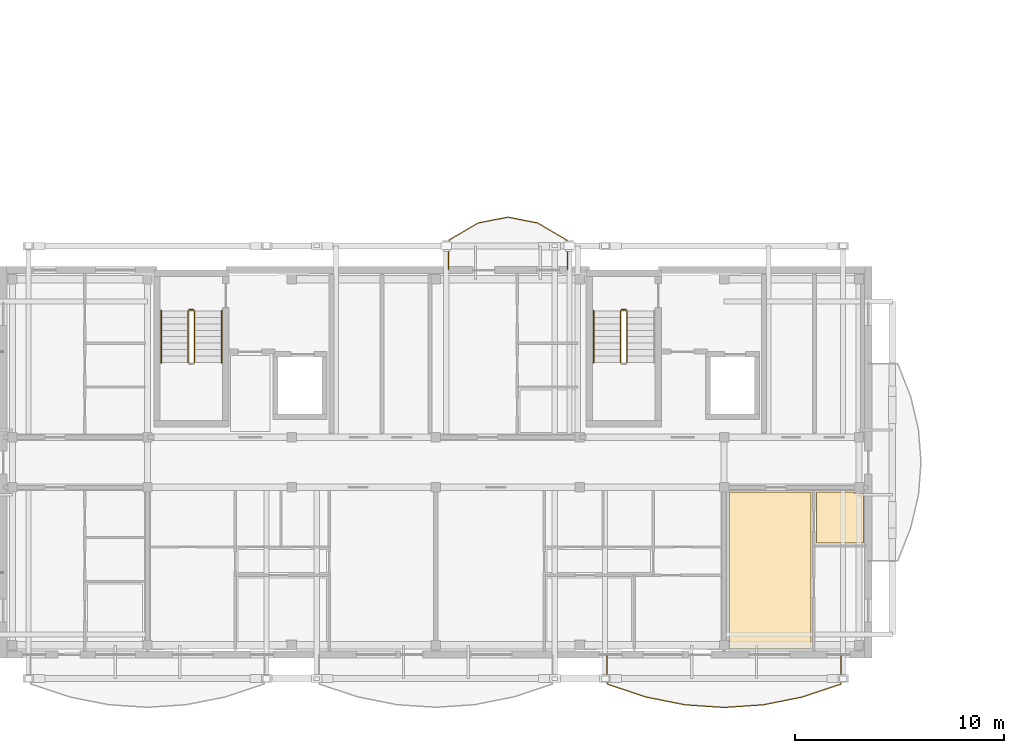
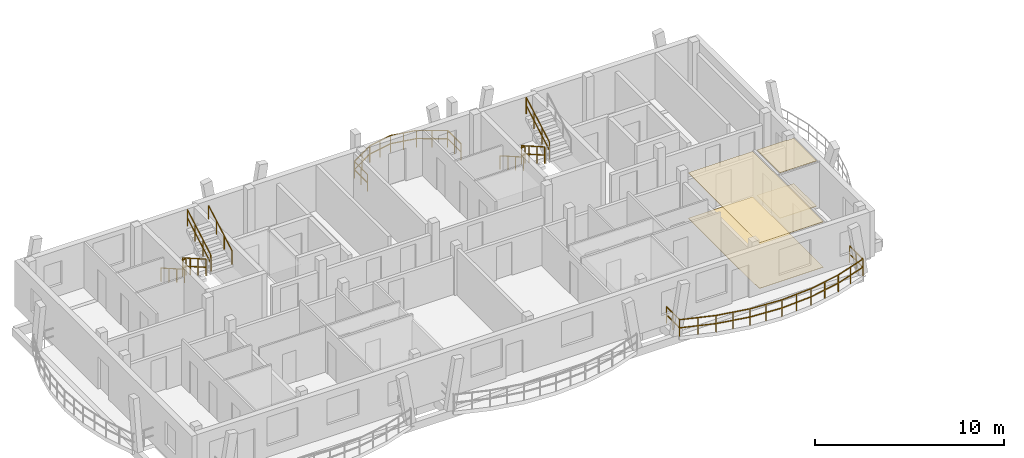
# One storey, part 24 of 29: 11 railings, 4 coverings.
"""IFC4 building model written with IfcOpenShell, lengths in metres."""

from ifc_helpers import new_model, si_unit, direction, frame, origin, origin_2d, place, context, subcontext, project, spatial, polyline, rectangle, outline, extrude, material, layer, layer_set, type_object, element, save


model = new_model("IFC4")

# Units and contexts
model_context = context("Model", 3, precision=1e-05, world=origin(), true_north=direction((0.0, 1.0)))
body_context = subcontext(model_context, "Body", "Model", "MODEL_VIEW")
ifc_project = project(units=[si_unit("LENGTHUNIT", "METRE"), si_unit("AREAUNIT", "SQUARE_METRE"), si_unit("VOLUMEUNIT", "CUBIC_METRE"), si_unit("PLANEANGLEUNIT", "RADIAN"), si_unit("MASSUNIT", "GRAM", prefix="KILO")], contexts=[model_context])

# Site, building, storey
site_placement = place(None, origin())
site = spatial("IfcSite", under=ifc_project, at=site_placement, CompositionType="ELEMENT")
building_placement = place(site_placement, origin())
building = spatial("IfcBuilding", under=site, at=building_placement, Name="Zavelmont Quarter", CompositionType="ELEMENT")
storey_placement = place(building_placement, frame((0.0, 0.0, 33.60009765625)))
storey = spatial("IfcBuildingStorey", under=building, at=storey_placement, Name="L10", CompositionType="ELEMENT", Elevation=33.60009765625)

# Coverings
ifc_material_1 = material(Name="Perforated acoustic gypsum board")
ifc_layer_1 = layer(ifc_material_1, 0.02490234375)
ifc_layer_set_1 = layer_set([ifc_layer_1], Name="Perforated acoustic gypsum board")
covering_type_1 = type_object("IfcCoveringType", Name="CV-CL01", PredefinedType="CEILING", material=ifc_layer_set_1)
covering_1_placement = place(storey_placement, frame((0.0, 0.0, 2.934814453125)))
element("IfcCovering", 1, at=covering_1_placement, inside=storey, type_object=covering_type_1, Name="L10 Residents Study Lounge acoustic ceiling", PredefinedType="CEILING", context=body_context, shape_type="SweptSolid", body=[
    extrude(outline(polyline([(34.72998046875, 7.735107421875), (34.764892578125, 7.735107421875), (34.764892578125, 7.77001953125), (38.669921875, 7.77001953125), (38.669921875, 0.280029296875), (34.764892578125, 0.280029296875), (34.764892578125, 0.705078125), (34.72998046875, 0.705078125), (34.72998046875, 7.735107421875)])), origin(), (0.0, 0.0, 1.0), 0.025146484375),
])
ifc_material_2 = material(Name="Moisture-resistant painted gypsum ceiling")
ifc_layer_2 = layer(ifc_material_2, 0.02001953125)
ifc_layer_set_2 = layer_set([ifc_layer_2], Name="Moisture-resistant painted gypsum ceiling")
covering_type_2 = type_object("IfcCoveringType", Name="CV-CL04", PredefinedType="CEILING", material=ifc_layer_set_2)
covering_2_placement = place(storey_placement, frame((0.0, 0.0, 2.93994140625)))
element("IfcCovering", 2, at=covering_2_placement, inside=storey, type_object=covering_type_2, Name="L10 Accessible Toilet acoustic ceiling", PredefinedType="CEILING", context=body_context, shape_type="SweptSolid", body=[
    extrude(outline(polyline([(38.929931640625, 7.77001953125), (40.695068359375, 7.77001953125), (40.695068359375, 7.735107421875), (41.169921875, 7.735107421875), (41.169921875, 5.330078125), (38.929931640625, 5.330078125), (38.929931640625, 7.77001953125)])), origin(), (0.0, 0.0, 1.0), 0.02001953125),
])
ifc_material_3 = material(Name="Engineered European oak parquet")
ifc_layer_3 = layer(ifc_material_3, 0.02197265625)
ifc_layer_set_3 = layer_set([ifc_layer_3], Name="Engineered European oak parquet")
covering_type_3 = type_object("IfcCoveringType", Name="CV-FL01", PredefinedType="FLOORING", material=ifc_layer_set_3)
covering_3_placement = place(storey_placement, origin())
element("IfcCovering", 3, at=covering_3_placement, inside=storey, type_object=covering_type_3, Name="L10 Residents Study Lounge floor finish", PredefinedType="FLOORING", context=body_context, shape_type="SweptSolid", body=[
    extrude(outline(polyline([(34.72998046875, 7.735107421875), (34.764892578125, 7.735107421875), (34.764892578125, 7.77001953125), (38.669921875, 7.77001953125), (38.669921875, 0.280029296875), (34.764892578125, 0.280029296875), (34.764892578125, 0.705078125), (34.72998046875, 0.705078125), (34.72998046875, 7.735107421875)])), origin(), (0.0, 0.0, 1.0), 0.02197265625),
])
ifc_material_4 = material(Name="Slip-resistant porcelain tile")
ifc_layer_4 = layer(ifc_material_4, 0.02587890625)
ifc_layer_set_4 = layer_set([ifc_layer_4], Name="Slip-resistant porcelain tile")
covering_type_4 = type_object("IfcCoveringType", Name="CV-FL04", PredefinedType="FLOORING", material=ifc_layer_set_4)
covering_4_placement = place(storey_placement, origin())
element("IfcCovering", 4, at=covering_4_placement, inside=storey, type_object=covering_type_4, Name="L10 Accessible Toilet floor finish", PredefinedType="FLOORING", context=body_context, shape_type="SweptSolid", body=[
    extrude(outline(polyline([(38.929931640625, 7.77001953125), (40.695068359375, 7.77001953125), (40.695068359375, 7.735107421875), (41.169921875, 7.735107421875), (41.169921875, 5.330078125), (38.929931640625, 5.330078125), (38.929931640625, 7.77001953125)])), origin(), (0.0, 0.0, 1.0), 0.02587890625),
])

# Railings
ifc_material_5 = material(Name="Powder-coated steel and tempered double safety glass", Category="steel")
railing_type_1 = type_object("IfcRailingType", Name="RL-BAL1", PredefinedType="BALUSTRADE", material=ifc_material_5)
railing_1_placement = place(storey_placement, frame((28.9052734375, -0.02001953125, 0.0)))
element("IfcRailing", 5, at=railing_1_placement, inside=storey, type_object=railing_type_1, Name="L10 Block A curved balcony guard RL-BAL1", PredefinedType="BALUSTRADE", context=body_context, shape_type="SweptSolid", body=[
    extrude(rectangle(XDim=0.048095703125, YDim=0.048095703125, at=origin_2d()), frame((0.0, 0.0, 1.076171875), z_axis=(0.0, -1.0, 0.0), x_axis=(1.0, 0.0, 0.0)), (0.0, 0.0, 1.0), 1.4013671875),
    extrude(rectangle(XDim=0.048095703125, YDim=0.048095703125, at=origin_2d()), frame((0.0, 0.0, 0.550048828125), z_axis=(0.0, -1.0, 0.0), x_axis=(1.0, 0.0, 0.0)), (0.0, 0.0, 1.0), 1.4013671875),
    extrude(rectangle(XDim=0.048095703125, YDim=0.048095703125, at=origin_2d()), frame((0.0, -1.4013671875, 1.076171875), z_axis=(0.948881855415, -0.315631469382, 0.0), x_axis=(0.315631469382, 0.948881855415, 0.0)), (0.0, 0.0, 1.0), 1.965576171875),
    extrude(rectangle(XDim=0.048095703125, YDim=0.048095703125, at=origin_2d()), frame((0.0, -1.4013671875, 0.550048828125), z_axis=(0.948881855415, -0.315631469382, 0.0), x_axis=(0.315631469382, 0.948881855415, 0.0)), (0.0, 0.0, 1.0), 1.965576171875),
    extrude(rectangle(XDim=0.048095703125, YDim=0.048095703125, at=origin_2d()), frame((1.864990234375, -2.021728515625, 1.076171875), z_axis=(0.980669462772, -0.195671675997, 0.0), x_axis=(0.195671675997, 0.980669462772, 0.0)), (0.0, 0.0, 1.0), 1.901611328125),
    extrude(rectangle(XDim=0.048095703125, YDim=0.048095703125, at=origin_2d()), frame((1.864990234375, -2.021728515625, 0.550048828125), z_axis=(0.980669462772, -0.195671675997, 0.0), x_axis=(0.195671675997, 0.980669462772, 0.0)), (0.0, 0.0, 1.0), 1.901611328125),
    extrude(rectangle(XDim=0.048095703125, YDim=0.048095703125, at=origin_2d()), frame((3.729736328125, -2.393798828125, 1.076171875), z_axis=(0.997787469069, -0.066484333258, 0.0), x_axis=(0.066484333258, 0.997787469069, 0.0)), (0.0, 0.0, 1.0), 1.869140625),
    extrude(rectangle(XDim=0.048095703125, YDim=0.048095703125, at=origin_2d()), frame((3.729736328125, -2.393798828125, 0.550048828125), z_axis=(0.997787469069, -0.066484333258, 0.0), x_axis=(0.066484333258, 0.997787469069, 0.0)), (0.0, 0.0, 1.0), 1.869140625),
    extrude(rectangle(XDim=0.048095703125, YDim=0.048095703125, at=origin_2d()), frame((5.5947265625, -2.51806640625, 1.076171875), z_axis=(0.997787469069, 0.066484333258, 0.0), x_axis=(-0.066484333258, 0.997787469069, 0.0)), (0.0, 0.0, 1.0), 1.869140625),
    extrude(rectangle(XDim=0.048095703125, YDim=0.048095703125, at=origin_2d()), frame((5.5947265625, -2.51806640625, 0.550048828125), z_axis=(0.997787469069, 0.066484333258, 0.0), x_axis=(-0.066484333258, 0.997787469069, 0.0)), (0.0, 0.0, 1.0), 1.869140625),
    extrude(rectangle(XDim=0.048095703125, YDim=0.048095703125, at=origin_2d()), frame((7.459716796875, -2.393798828125, 1.076171875), z_axis=(0.980669462772, 0.195671675997, 0.0), x_axis=(-0.195671675997, 0.980669462772, 0.0)), (0.0, 0.0, 1.0), 1.901611328125),
    extrude(rectangle(XDim=0.048095703125, YDim=0.048095703125, at=origin_2d()), frame((7.459716796875, -2.393798828125, 0.550048828125), z_axis=(0.980669462772, 0.195671675997, 0.0), x_axis=(-0.195671675997, 0.980669462772, 0.0)), (0.0, 0.0, 1.0), 1.901611328125),
    extrude(rectangle(XDim=0.048095703125, YDim=0.048095703125, at=origin_2d()), frame((9.324462890625, -2.021728515625, 1.076171875), z_axis=(0.948881855415, 0.315631469382, 0.0), x_axis=(-0.315631469382, 0.948881855415, 0.0)), (0.0, 0.0, 1.0), 1.965576171875),
    extrude(rectangle(XDim=0.048095703125, YDim=0.048095703125, at=origin_2d()), frame((9.324462890625, -2.021728515625, 0.550048828125), z_axis=(0.948881855415, 0.315631469382, 0.0), x_axis=(-0.315631469382, 0.948881855415, 0.0)), (0.0, 0.0, 1.0), 1.965576171875),
    extrude(rectangle(XDim=0.048095703125, YDim=0.048095703125, at=origin_2d()), frame((11.189453125, -1.4013671875, 1.076171875), z_axis=(0.0, 1.0, 0.0), x_axis=(-1.0, 0.0, 0.0)), (0.0, 0.0, 1.0), 1.4013671875),
    extrude(rectangle(XDim=0.048095703125, YDim=0.048095703125, at=origin_2d()), frame((11.189453125, -1.4013671875, 0.550048828125), z_axis=(0.0, 1.0, 0.0), x_axis=(-1.0, 0.0, 0.0)), (0.0, 0.0, 1.0), 1.4013671875),
    extrude(rectangle(XDim=0.0419921875, YDim=0.0419921875, at=origin_2d()), origin(), (0.0, 0.0, 1.0), 1.052001953125),
    extrude(rectangle(XDim=0.0419921875, YDim=0.0419921875, at=origin_2d()), frame((0.0, -0.70068359375, 0.0)), (0.0, 0.0, 1.0), 1.052001953125),
    extrude(rectangle(XDim=0.0419921875, YDim=0.0419921875, at=origin_2d()), frame((0.0, -1.4013671875, 0.0)), (0.0, 0.0, 1.0), 1.052001953125),
    extrude(rectangle(XDim=0.0419921875, YDim=0.0419921875, at=origin_2d()), frame((0.9326171875, -1.71142578125, 0.0)), (0.0, 0.0, 1.0), 1.052001953125),
    extrude(rectangle(XDim=0.0419921875, YDim=0.0419921875, at=origin_2d()), frame((1.864990234375, -2.021728515625, 0.0)), (0.0, 0.0, 1.0), 1.052001953125),
    extrude(rectangle(XDim=0.0419921875, YDim=0.0419921875, at=origin_2d()), frame((2.79736328125, -2.207763671875, 0.0)), (0.0, 0.0, 1.0), 1.052001953125),
    extrude(rectangle(XDim=0.0419921875, YDim=0.0419921875, at=origin_2d()), frame((3.729736328125, -2.393798828125, 0.0)), (0.0, 0.0, 1.0), 1.052001953125),
    extrude(rectangle(XDim=0.0419921875, YDim=0.0419921875, at=origin_2d()), frame((4.662109375, -2.4560546875, 0.0)), (0.0, 0.0, 1.0), 1.052001953125),
    extrude(rectangle(XDim=0.0419921875, YDim=0.0419921875, at=origin_2d()), frame((5.5947265625, -2.51806640625, 0.0)), (0.0, 0.0, 1.0), 1.052001953125),
    extrude(rectangle(XDim=0.0419921875, YDim=0.0419921875, at=origin_2d()), frame((6.52734375, -2.4560546875, 0.0)), (0.0, 0.0, 1.0), 1.052001953125),
    extrude(rectangle(XDim=0.0419921875, YDim=0.0419921875, at=origin_2d()), frame((7.459716796875, -2.393798828125, 0.0)), (0.0, 0.0, 1.0), 1.052001953125),
    extrude(rectangle(XDim=0.0419921875, YDim=0.0419921875, at=origin_2d()), frame((8.39208984375, -2.207763671875, 0.0)), (0.0, 0.0, 1.0), 1.052001953125),
    extrude(rectangle(XDim=0.0419921875, YDim=0.0419921875, at=origin_2d()), frame((9.324462890625, -2.021728515625, 0.0)), (0.0, 0.0, 1.0), 1.052001953125),
    extrude(rectangle(XDim=0.0419921875, YDim=0.0419921875, at=origin_2d()), frame((10.2568359375, -1.71142578125, 0.0)), (0.0, 0.0, 1.0), 1.052001953125),
    extrude(rectangle(XDim=0.0419921875, YDim=0.0419921875, at=origin_2d()), frame((11.189453125, -1.4013671875, 0.0)), (0.0, 0.0, 1.0), 1.052001953125),
    extrude(rectangle(XDim=0.0419921875, YDim=0.0419921875, at=origin_2d()), frame((11.189453125, -0.70068359375, 0.0)), (0.0, 0.0, 1.0), 1.052001953125),
    extrude(rectangle(XDim=0.0419921875, YDim=0.0419921875, at=origin_2d()), frame((11.189453125, 0.0, 0.0)), (0.0, 0.0, 1.0), 1.052001953125),
])
railing_2_placement = place(storey_placement, frame((27.0, 18.419921875, 0.0)))
element("IfcRailing", 6, at=railing_2_placement, inside=storey, type_object=railing_type_1, Name="L10 Block A curved balcony guard RL-BAL1", PredefinedType="BALUSTRADE", context=body_context, shape_type="SweptSolid", body=[
    extrude(rectangle(XDim=0.048095703125, YDim=0.048095703125, at=origin_2d()), frame((0.0, 0.0, 1.076171875), z_axis=(0.0, 1.0, 0.0), x_axis=(-1.0, 0.0, 0.0)), (0.0, 0.0, 1.0), 1.4013671875),
    extrude(rectangle(XDim=0.048095703125, YDim=0.048095703125, at=origin_2d()), frame((0.0, 0.0, 0.550048828125), z_axis=(0.0, 1.0, 0.0), x_axis=(-1.0, 0.0, 0.0)), (0.0, 0.0, 1.0), 1.4013671875),
    extrude(rectangle(XDim=0.048095703125, YDim=0.048095703125, at=origin_2d()), frame((0.0, 1.4013671875, 1.076171875), z_axis=(-0.862161952844, 0.506632773386, 0.0), x_axis=(-0.506632773386, -0.862161952844, 0.0)), (0.0, 0.0, 1.0), 1.65283203125),
    extrude(rectangle(XDim=0.048095703125, YDim=0.048095703125, at=origin_2d()), frame((0.0, 1.4013671875, 0.550048828125), z_axis=(-0.862161952844, 0.506632773386, 0.0), x_axis=(-0.506632773386, -0.862161952844, 0.0)), (0.0, 0.0, 1.0), 1.65283203125),
    extrude(rectangle(XDim=0.048095703125, YDim=0.048095703125, at=origin_2d()), frame((-1.425048828125, 2.23876953125, 1.076171875), z_axis=(-0.981329929768, 0.192331923874, 0.0), x_axis=(-0.192331923874, -0.981329929768, 0.0)), (0.0, 0.0, 1.0), 1.4521484375),
    extrude(rectangle(XDim=0.048095703125, YDim=0.048095703125, at=origin_2d()), frame((-1.425048828125, 2.23876953125, 0.550048828125), z_axis=(-0.981329929768, 0.192331923874, 0.0), x_axis=(-0.192331923874, -0.981329929768, 0.0)), (0.0, 0.0, 1.0), 1.4521484375),
    extrude(rectangle(XDim=0.048095703125, YDim=0.048095703125, at=origin_2d()), frame((-2.85009765625, 2.51806640625, 1.076171875), z_axis=(-0.981323709121, -0.192363660595, 0.0), x_axis=(0.192363660595, -0.981323709121, 0.0)), (0.0, 0.0, 1.0), 1.451904296875),
    extrude(rectangle(XDim=0.048095703125, YDim=0.048095703125, at=origin_2d()), frame((-2.85009765625, 2.51806640625, 0.550048828125), z_axis=(-0.981323709121, -0.192363660595, 0.0), x_axis=(0.192363660595, -0.981323709121, 0.0)), (0.0, 0.0, 1.0), 1.451904296875),
    extrude(rectangle(XDim=0.048095703125, YDim=0.048095703125, at=origin_2d()), frame((-4.27490234375, 2.23876953125, 1.076171875), z_axis=(-0.862161952844, -0.506632773386, 0.0), x_axis=(0.506632773386, -0.862161952844, 0.0)), (0.0, 0.0, 1.0), 1.65283203125),
    extrude(rectangle(XDim=0.048095703125, YDim=0.048095703125, at=origin_2d()), frame((-4.27490234375, 2.23876953125, 0.550048828125), z_axis=(-0.862161952844, -0.506632773386, 0.0), x_axis=(0.506632773386, -0.862161952844, 0.0)), (0.0, 0.0, 1.0), 1.65283203125),
    extrude(rectangle(XDim=0.048095703125, YDim=0.048095703125, at=origin_2d()), frame((-5.699951171875, 1.4013671875, 1.076171875), z_axis=(0.0, -1.0, 0.0), x_axis=(1.0, 0.0, 0.0)), (0.0, 0.0, 1.0), 1.4013671875),
    extrude(rectangle(XDim=0.048095703125, YDim=0.048095703125, at=origin_2d()), frame((-5.699951171875, 1.4013671875, 0.550048828125), z_axis=(0.0, -1.0, 0.0), x_axis=(1.0, 0.0, 0.0)), (0.0, 0.0, 1.0), 1.4013671875),
    extrude(rectangle(XDim=0.0419921875, YDim=0.0419921875, at=origin_2d()), origin(), (0.0, 0.0, 1.0), 1.052001953125),
    extrude(rectangle(XDim=0.0419921875, YDim=0.0419921875, at=origin_2d()), frame((0.0, 0.70068359375, 0.0)), (0.0, 0.0, 1.0), 1.052001953125),
    extrude(rectangle(XDim=0.0419921875, YDim=0.0419921875, at=origin_2d()), frame((0.0, 1.4013671875, 0.0)), (0.0, 0.0, 1.0), 1.052001953125),
    extrude(rectangle(XDim=0.0419921875, YDim=0.0419921875, at=origin_2d()), frame((-0.71240234375, 1.820068359375, 0.0)), (0.0, 0.0, 1.0), 1.052001953125),
    extrude(rectangle(XDim=0.0419921875, YDim=0.0419921875, at=origin_2d()), frame((-1.425048828125, 2.23876953125, 0.0)), (0.0, 0.0, 1.0), 1.052001953125),
    extrude(rectangle(XDim=0.0419921875, YDim=0.0419921875, at=origin_2d()), frame((-2.1376953125, 2.37841796875, 0.0)), (0.0, 0.0, 1.0), 1.052001953125),
    extrude(rectangle(XDim=0.0419921875, YDim=0.0419921875, at=origin_2d()), frame((-2.85009765625, 2.51806640625, 0.0)), (0.0, 0.0, 1.0), 1.052001953125),
    extrude(rectangle(XDim=0.0419921875, YDim=0.0419921875, at=origin_2d()), frame((-3.5625, 2.37841796875, 0.0)), (0.0, 0.0, 1.0), 1.052001953125),
    extrude(rectangle(XDim=0.0419921875, YDim=0.0419921875, at=origin_2d()), frame((-4.27490234375, 2.23876953125, 0.0)), (0.0, 0.0, 1.0), 1.052001953125),
    extrude(rectangle(XDim=0.0419921875, YDim=0.0419921875, at=origin_2d()), frame((-4.9873046875, 1.820068359375, 0.0)), (0.0, 0.0, 1.0), 1.052001953125),
    extrude(rectangle(XDim=0.0419921875, YDim=0.0419921875, at=origin_2d()), frame((-5.699951171875, 1.4013671875, 0.0)), (0.0, 0.0, 1.0), 1.052001953125),
    extrude(rectangle(XDim=0.0419921875, YDim=0.0419921875, at=origin_2d()), frame((-5.699951171875, 0.70068359375, 0.0)), (0.0, 0.0, 1.0), 1.052001953125),
    extrude(rectangle(XDim=0.0419921875, YDim=0.0419921875, at=origin_2d()), frame((-5.699951171875, 0.0, 0.0)), (0.0, 0.0, 1.0), 1.052001953125),
])
ifc_material_6 = material(Name="Powder-coated steel stair guardrail", Category="steel")
railing_type_2 = type_object("IfcRailingType", Name="RL-GRD1", PredefinedType="GUARDRAIL", material=ifc_material_6)
railing_3_placement = place(storey_placement, frame((8.85009765625, 16.449951171875, 0.177734375)))
element("IfcRailing", 7, at=railing_3_placement, inside=storey, type_object=railing_type_2, Name="L10 ST01 stair guardrail 1", PredefinedType="GUARDRAIL", context=body_context, shape_type="SweptSolid", body=[
    extrude(rectangle(XDim=0.048095703125, YDim=0.048095703125, at=origin_2d()), frame((0.0, 0.0, 1.076171875), z_axis=(0.0, -0.867490628297, 0.497453525283), x_axis=(1.0, 0.0, 0.0)), (0.0, 0.0, 1.0), 2.85888671875),
    extrude(rectangle(XDim=0.048095703125, YDim=0.048095703125, at=origin_2d()), frame((0.0, 0.0, 0.550048828125), z_axis=(0.0, -0.867490628297, 0.497453525283), x_axis=(1.0, 0.0, 0.0)), (0.0, 0.0, 1.0), 2.85888671875),
    extrude(rectangle(XDim=0.0419921875, YDim=0.0419921875, at=origin_2d()), origin(), (0.0, 0.0, 1.0), 1.052001953125),
    extrude(rectangle(XDim=0.0419921875, YDim=0.0419921875, at=origin_2d()), frame((0.0, -0.82666015625, 0.47412109375)), (0.0, 0.0, 1.0), 1.052001953125),
    extrude(rectangle(XDim=0.0419921875, YDim=0.0419921875, at=origin_2d()), frame((0.0, -1.6533203125, 0.947998046875)), (0.0, 0.0, 1.0), 1.052001953125),
    extrude(rectangle(XDim=0.0419921875, YDim=0.0419921875, at=origin_2d()), frame((0.0, -2.47998046875, 1.422119140625)), (0.0, 0.0, 1.0), 1.052001953125),
])
railing_4_placement = place(storey_placement, frame((9.14990234375, 13.969970703125, 1.777587890625)))
element("IfcRailing", 8, at=railing_4_placement, inside=storey, type_object=railing_type_2, Name="L10 ST01 stair guardrail 3", PredefinedType="GUARDRAIL", context=body_context, shape_type="SweptSolid", body=[
    extrude(rectangle(XDim=0.048095703125, YDim=0.048095703125, at=origin_2d()), frame((0.0, 0.0, 1.076171875), z_axis=(0.0, 0.867453774394, 0.497517787913), x_axis=(-1.0, 0.0, 0.0)), (0.0, 0.0, 1.0), 2.85888671875),
    extrude(rectangle(XDim=0.048095703125, YDim=0.048095703125, at=origin_2d()), frame((0.0, 0.0, 0.550048828125), z_axis=(0.0, 0.867453774394, 0.497517787913), x_axis=(-1.0, 0.0, 0.0)), (0.0, 0.0, 1.0), 2.85888671875),
    extrude(rectangle(XDim=0.0419921875, YDim=0.0419921875, at=origin_2d()), origin(), (0.0, 0.0, 1.0), 1.052001953125),
    extrude(rectangle(XDim=0.0419921875, YDim=0.0419921875, at=origin_2d()), frame((0.0, 0.82666015625, 0.47412109375)), (0.0, 0.0, 1.0), 1.052001953125),
    extrude(rectangle(XDim=0.0419921875, YDim=0.0419921875, at=origin_2d()), frame((0.0, 1.6533203125, 0.9482421875)), (0.0, 0.0, 1.0), 1.052001953125),
    extrude(rectangle(XDim=0.0419921875, YDim=0.0419921875, at=origin_2d()), frame((0.0, 2.47998046875, 1.42236328125)), (0.0, 0.0, 1.0), 1.052001953125),
])
railing_5_placement = place(storey_placement, frame((8.89990234375, 16.5, 0.0)))
element("IfcRailing", 9, at=railing_5_placement, inside=storey, type_object=railing_type_2, Name="L10 ST01 stair guardrail 4", PredefinedType="GUARDRAIL", context=body_context, shape_type="SweptSolid", body=[
    extrude(rectangle(XDim=0.048095703125, YDim=0.048095703125, at=origin_2d()), frame((0.0, 0.0, 1.076171875), z_axis=(1.0, 0.0, 0.0), x_axis=(0.0, 1.0, 0.0)), (0.0, 0.0, 1.0), 0.2001953125),
    extrude(rectangle(XDim=0.048095703125, YDim=0.048095703125, at=origin_2d()), frame((0.0, 0.0, 0.550048828125), z_axis=(1.0, 0.0, 0.0), x_axis=(0.0, 1.0, 0.0)), (0.0, 0.0, 1.0), 0.2001953125),
    extrude(rectangle(XDim=0.0419921875, YDim=0.0419921875, at=origin_2d()), origin(), (0.0, 0.0, 1.0), 1.052001953125),
    extrude(rectangle(XDim=0.0419921875, YDim=0.0419921875, at=origin_2d()), frame((0.2001953125, 0.0, 0.0)), (0.0, 0.0, 1.0), 1.052001953125),
])
railing_6_placement = place(storey_placement, frame((29.550048828125, 16.449951171875, 0.177734375)))
element("IfcRailing", 10, at=railing_6_placement, inside=storey, type_object=railing_type_2, Name="L10 ST02 stair guardrail 1", PredefinedType="GUARDRAIL", context=body_context, shape_type="SweptSolid", body=[
    extrude(rectangle(XDim=0.048095703125, YDim=0.048095703125, at=origin_2d()), frame((0.0, 0.0, 1.076171875), z_axis=(0.0, -0.867490628297, 0.497453525283), x_axis=(1.0, 0.0, 0.0)), (0.0, 0.0, 1.0), 2.85888671875),
    extrude(rectangle(XDim=0.048095703125, YDim=0.048095703125, at=origin_2d()), frame((0.0, 0.0, 0.550048828125), z_axis=(0.0, -0.867490628297, 0.497453525283), x_axis=(1.0, 0.0, 0.0)), (0.0, 0.0, 1.0), 2.85888671875),
    extrude(rectangle(XDim=0.0419921875, YDim=0.0419921875, at=origin_2d()), origin(), (0.0, 0.0, 1.0), 1.052001953125),
    extrude(rectangle(XDim=0.0419921875, YDim=0.0419921875, at=origin_2d()), frame((0.0, -0.82666015625, 0.47412109375)), (0.0, 0.0, 1.0), 1.052001953125),
    extrude(rectangle(XDim=0.0419921875, YDim=0.0419921875, at=origin_2d()), frame((0.0, -1.6533203125, 0.947998046875)), (0.0, 0.0, 1.0), 1.052001953125),
    extrude(rectangle(XDim=0.0419921875, YDim=0.0419921875, at=origin_2d()), frame((0.0, -2.47998046875, 1.422119140625)), (0.0, 0.0, 1.0), 1.052001953125),
])
railing_7_placement = place(storey_placement, frame((29.85009765625, 13.969970703125, 1.777587890625)))
element("IfcRailing", 11, at=railing_7_placement, inside=storey, type_object=railing_type_2, Name="L10 ST02 stair guardrail 3", PredefinedType="GUARDRAIL", context=body_context, shape_type="SweptSolid", body=[
    extrude(rectangle(XDim=0.048095703125, YDim=0.048095703125, at=origin_2d()), frame((0.0, 0.0, 1.076171875), z_axis=(0.0, 0.867453774394, 0.497517787913), x_axis=(-1.0, 0.0, 0.0)), (0.0, 0.0, 1.0), 2.85888671875),
    extrude(rectangle(XDim=0.048095703125, YDim=0.048095703125, at=origin_2d()), frame((0.0, 0.0, 0.550048828125), z_axis=(0.0, 0.867453774394, 0.497517787913), x_axis=(-1.0, 0.0, 0.0)), (0.0, 0.0, 1.0), 2.85888671875),
    extrude(rectangle(XDim=0.0419921875, YDim=0.0419921875, at=origin_2d()), origin(), (0.0, 0.0, 1.0), 1.052001953125),
    extrude(rectangle(XDim=0.0419921875, YDim=0.0419921875, at=origin_2d()), frame((0.0, 0.82666015625, 0.47412109375)), (0.0, 0.0, 1.0), 1.052001953125),
    extrude(rectangle(XDim=0.0419921875, YDim=0.0419921875, at=origin_2d()), frame((0.0, 1.6533203125, 0.9482421875)), (0.0, 0.0, 1.0), 1.052001953125),
    extrude(rectangle(XDim=0.0419921875, YDim=0.0419921875, at=origin_2d()), frame((0.0, 2.47998046875, 1.42236328125)), (0.0, 0.0, 1.0), 1.052001953125),
])
railing_8_placement = place(storey_placement, frame((29.60009765625, 16.5, 0.0)))
element("IfcRailing", 12, at=railing_8_placement, inside=storey, type_object=railing_type_2, Name="L10 ST02 stair guardrail 4", PredefinedType="GUARDRAIL", context=body_context, shape_type="SweptSolid", body=[
    extrude(rectangle(XDim=0.048095703125, YDim=0.048095703125, at=origin_2d()), frame((0.0, 0.0, 1.076171875), z_axis=(1.0, 0.0, 0.0), x_axis=(0.0, 1.0, 0.0)), (0.0, 0.0, 1.0), 0.199951171875),
    extrude(rectangle(XDim=0.048095703125, YDim=0.048095703125, at=origin_2d()), frame((0.0, 0.0, 0.550048828125), z_axis=(1.0, 0.0, 0.0), x_axis=(0.0, 1.0, 0.0)), (0.0, 0.0, 1.0), 0.199951171875),
    extrude(rectangle(XDim=0.0419921875, YDim=0.0419921875, at=origin_2d()), origin(), (0.0, 0.0, 1.0), 1.052001953125),
    extrude(rectangle(XDim=0.0419921875, YDim=0.0419921875, at=origin_2d()), frame((0.199951171875, 0.0, 0.0)), (0.0, 0.0, 1.0), 1.052001953125),
])
ifc_material_7 = material(Name="Brushed stainless-steel wall handrail", Category="steel")
railing_type_3 = type_object("IfcRailingType", Name="RL-HND1", PredefinedType="HANDRAIL", material=ifc_material_7)
railing_9_placement = place(storey_placement, frame((7.550048828125, 16.449951171875, 0.177734375)))
element("IfcRailing", 13, at=railing_9_placement, inside=storey, type_object=railing_type_3, Name="L10 ST01 stair handrail 1", PredefinedType="HANDRAIL", context=body_context, shape_type="SweptSolid", body=[
    extrude(rectangle(XDim=0.048095703125, YDim=0.048095703125, at=origin_2d()), frame((0.0, 0.0, 0.8759765625), z_axis=(0.0, -0.867490628297, 0.497453525283), x_axis=(1.0, 0.0, 0.0)), (0.0, 0.0, 1.0), 2.85888671875),
    extrude(rectangle(XDim=0.0419921875, YDim=0.0419921875, at=origin_2d()), origin(), (0.0, 0.0, 1.0), 0.851806640625),
    extrude(rectangle(XDim=0.0419921875, YDim=0.0419921875, at=origin_2d()), frame((0.0, -0.82666015625, 0.47412109375)), (0.0, 0.0, 1.0), 0.851806640625),
    extrude(rectangle(XDim=0.0419921875, YDim=0.0419921875, at=origin_2d()), frame((0.0, -1.6533203125, 0.947998046875)), (0.0, 0.0, 1.0), 0.851806640625),
    extrude(rectangle(XDim=0.0419921875, YDim=0.0419921875, at=origin_2d()), frame((0.0, -2.47998046875, 1.422119140625)), (0.0, 0.0, 1.0), 0.851806640625),
])
railing_10_placement = place(storey_placement, frame((10.449951171875, 13.969970703125, 1.777587890625)))
element("IfcRailing", 14, at=railing_10_placement, inside=storey, type_object=railing_type_3, Name="L10 ST01 stair handrail 2", PredefinedType="HANDRAIL", context=body_context, shape_type="SweptSolid", body=[
    extrude(rectangle(XDim=0.048095703125, YDim=0.048095703125, at=origin_2d()), frame((0.0, 0.0, 0.8759765625), z_axis=(0.0, 0.867453774394, 0.497517787913), x_axis=(-1.0, 0.0, 0.0)), (0.0, 0.0, 1.0), 2.85888671875),
    extrude(rectangle(XDim=0.0419921875, YDim=0.0419921875, at=origin_2d()), origin(), (0.0, 0.0, 1.0), 0.851806640625),
    extrude(rectangle(XDim=0.0419921875, YDim=0.0419921875, at=origin_2d()), frame((0.0, 0.82666015625, 0.47412109375)), (0.0, 0.0, 1.0), 0.851806640625),
    extrude(rectangle(XDim=0.0419921875, YDim=0.0419921875, at=origin_2d()), frame((0.0, 1.6533203125, 0.9482421875)), (0.0, 0.0, 1.0), 0.851806640625),
    extrude(rectangle(XDim=0.0419921875, YDim=0.0419921875, at=origin_2d()), frame((0.0, 2.47998046875, 1.42236328125)), (0.0, 0.0, 1.0), 0.851806640625),
])
railing_11_placement = place(storey_placement, frame((28.25, 16.449951171875, 0.177734375)))
element("IfcRailing", 15, at=railing_11_placement, inside=storey, type_object=railing_type_3, Name="L10 ST02 stair handrail 1", PredefinedType="HANDRAIL", context=body_context, shape_type="SweptSolid", body=[
    extrude(rectangle(XDim=0.048095703125, YDim=0.048095703125, at=origin_2d()), frame((0.0, 0.0, 0.8759765625), z_axis=(0.0, -0.867490628297, 0.497453525283), x_axis=(1.0, 0.0, 0.0)), (0.0, 0.0, 1.0), 2.85888671875),
    extrude(rectangle(XDim=0.0419921875, YDim=0.0419921875, at=origin_2d()), origin(), (0.0, 0.0, 1.0), 0.851806640625),
    extrude(rectangle(XDim=0.0419921875, YDim=0.0419921875, at=origin_2d()), frame((0.0, -0.82666015625, 0.47412109375)), (0.0, 0.0, 1.0), 0.851806640625),
    extrude(rectangle(XDim=0.0419921875, YDim=0.0419921875, at=origin_2d()), frame((0.0, -1.6533203125, 0.947998046875)), (0.0, 0.0, 1.0), 0.851806640625),
    extrude(rectangle(XDim=0.0419921875, YDim=0.0419921875, at=origin_2d()), frame((0.0, -2.47998046875, 1.422119140625)), (0.0, 0.0, 1.0), 0.851806640625),
])

save(model, "model.ifc")
